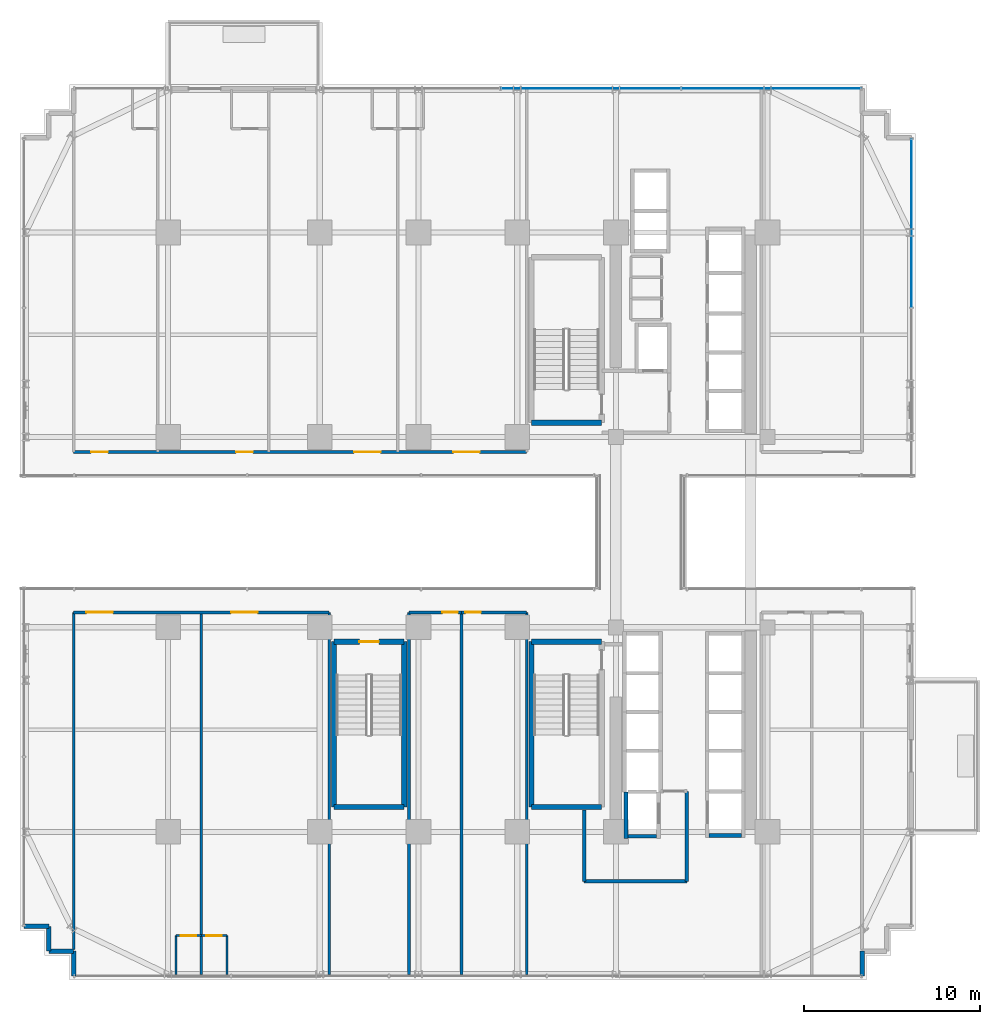
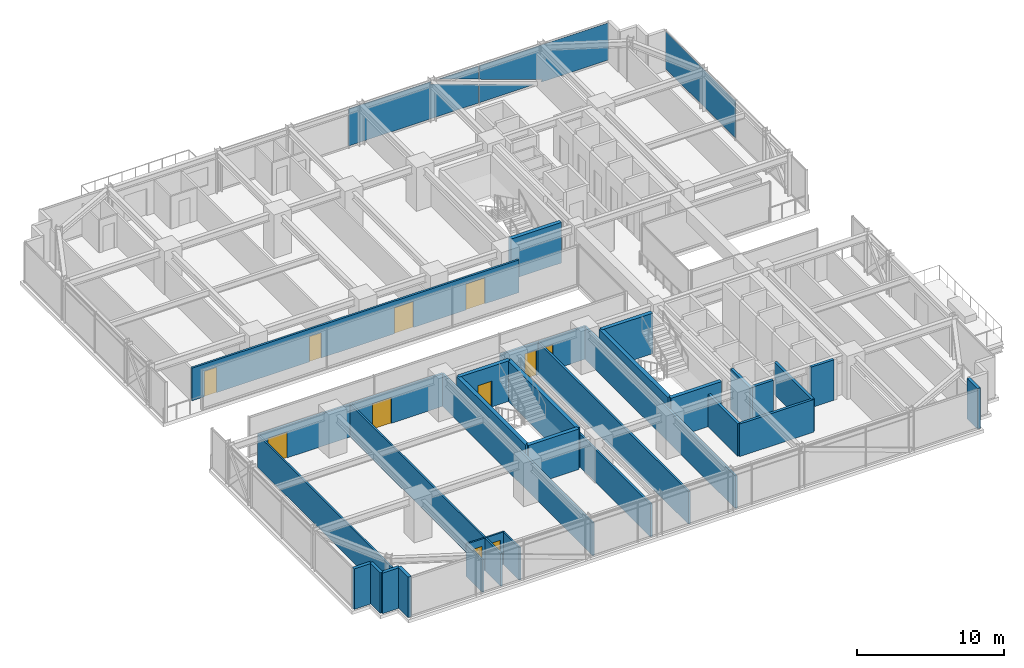
# One storey, part 34 of 41: 33 walls, 11 doors, 3 plates, 11 openings, 2 elements without a shape of their own.
"""IFC4 building model written with IfcOpenShell, lengths in metres."""

from ifc_helpers import new_model, si_unit, direction, frame, frame_2d, origin, origin_2d, place, context, subcontext, project, spatial, polyline, rectangle, outline, extrude, source, transform, mapped, material, layer, layer_set, type_object, element, fill, aggregate, save


model = new_model("IFC4")

# Units and contexts
model_context = context("Model", 3, precision=1e-05, world=origin(), true_north=direction((0.0, 1.0)))
body_context = subcontext(model_context, "Body", "Model", "MODEL_VIEW")
ifc_project = project(units=[si_unit("LENGTHUNIT", "METRE"), si_unit("AREAUNIT", "SQUARE_METRE"), si_unit("VOLUMEUNIT", "CUBIC_METRE"), si_unit("PLANEANGLEUNIT", "RADIAN"), si_unit("MASSUNIT", "GRAM", prefix="KILO")], contexts=[model_context])

# Site, building, storey
site_placement = place(None, origin())
site = spatial("IfcSite", under=ifc_project, at=site_placement, CompositionType="ELEMENT")
building_placement = place(site_placement, origin())
building = spatial("IfcBuilding", under=site, at=building_placement, Name="Nahalor Promenade Grand Hotel", CompositionType="ELEMENT")
storey_placement = place(building_placement, frame((0.0, 0.0, 54.300048828125)))
storey = spatial("IfcBuildingStorey", under=building, at=storey_placement, Name="L12", CompositionType="ELEMENT", Elevation=54.300048828125)

# Curtain wall, plates
ifc_material_1 = material(Name="Anodised Bronze Aluminium EN AW-6063 T6", Category="aluminium")
curtain_wall_type = type_object("IfcCurtainWallType", Name="CW3 Elliptical-Void Collar Unitised Curtain Wall", PredefinedType="USERDEFINED", material=ifc_material_1)
curtain_wall_1_placement = place(storey_placement, origin())
curtain_wall_1 = element("IfcCurtainWall", 1, at=curtain_wall_1_placement, inside=storey, type_object=curtain_wall_type, Name="L12 Curtain Wall CW-L12-N-3", ObjectType="UNITISED_CURTAIN_WALL", PredefinedType="USERDEFINED")
ifc_material_2 = material(Name="Low-E Laminated Solar Glass", Category="glass")
ifc_layer_1 = layer(ifc_material_2, 0.030029296875)
ifc_layer_set_1 = layer_set([ifc_layer_1], Name="Low-E Laminated Solar Glass")
plate_type = type_object("IfcPlateType", Name="CWP3 High-Wind Laminated Bronze IGU 30mm", PredefinedType="CURTAIN_PANEL", material=ifc_layer_set_1)
plate_1_placement = place(storey_placement, frame((6.97998046875, 25.159912109375, 0.14013671875), z_axis=(0.0, 0.0, 1.0), x_axis=(1.0, 0.0, 0.0)))
plate_1 = element("IfcPlate", 2, at=plate_1_placement, type_object=plate_type, Name="CW-L12-N-3 Glazing Panel 1-0", PredefinedType="CURTAIN_PANEL", context=body_context, shape_type="SweptSolid", body=[
    extrude(outline(polyline([(-5.091552734375, 0.0), (5.091552734375, 0.0), (5.091552734375, 1.556884765625), (1.3291015625, 2.900146484375), (1.39697265625, 3.090087890625), (-5.091552734375, 3.090087890625), (-5.091552734375, 0.0)])), frame((0.0, 0.01513671875, 0.0), z_axis=(0.0, -1.0, 0.0), x_axis=(1.0, 0.0, 0.0)), (0.0, 0.0, 1.0), 0.030029296875),
    extrude(outline(polyline([(5.091552734375, 1.981689453125), (5.091552734375, 3.090087890625), (1.98681640625, 3.090087890625), (5.091552734375, 1.981689453125)])), frame((0.0, 0.01513671875, 0.0), z_axis=(0.0, -1.0, 0.0), x_axis=(1.0, 0.0, 0.0)), (0.0, 0.0, 1.0), 0.030029296875),
])
plate_2_placement = place(storey_placement, frame((17.2158203125, 25.159912109375, 0.14013671875), z_axis=(0.0, 0.0, 1.0), x_axis=(1.0, 0.0, 0.0)))
plate_2 = element("IfcPlate", 3, at=plate_2_placement, type_object=plate_type, Name="CW-L12-N-3 Glazing Panel 2-0", PredefinedType="CURTAIN_PANEL", context=body_context, shape_type="SweptSolid", body=[
    extrude(outline(polyline([(5.07421875, 3.090087890625), (-5.07421875, 3.090087890625), (-5.07421875, 1.956787109375), (-0.125, 0.18994140625), (-0.19287109375, 0.0), (5.07421875, 0.0), (5.07421875, 3.090087890625)])), frame((0.0, 0.01513671875, 0.0), z_axis=(0.0, -1.0, 0.0), x_axis=(1.0, 0.0, 0.0)), (0.0, 0.0, 1.0), 0.030029296875),
    extrude(outline(polyline([(-5.07421875, 1.531982421875), (-5.07421875, 0.0), (-0.78271484375, 0.0), (-5.07421875, 1.531982421875)])), frame((0.0, 0.01513671875, 0.0), z_axis=(0.0, -1.0, 0.0), x_axis=(1.0, 0.0, 0.0)), (0.0, 0.0, 1.0), 0.030029296875),
])
aggregate(curtain_wall_1, [plate_1, plate_2])

# Curtain wall, plate
curtain_wall_2_placement = place(storey_placement, origin())
curtain_wall_2 = element("IfcCurtainWall", 4, at=curtain_wall_2_placement, inside=storey, type_object=curtain_wall_type, Name="L12 Curtain Wall CW-L12-E-4", ObjectType="UNITISED_CURTAIN_WALL", PredefinedType="USERDEFINED")
shared_shape_1 = source(origin(), body_context, "Body", "SweptSolid", [
    extrude(rectangle(XDim=9.52490234375, YDim=0.030029296875, at=origin_2d()), origin(), (0.0, 0.0, 1.0), 3.090087890625),
])
plate_3_placement = place(storey_placement, frame((25.159912109375, 17.527587890625, 0.14013671875), z_axis=(0.0, 0.0, 1.0), x_axis=(0.0, 1.0, 0.0)))
plate_3 = element("IfcPlate", 5, at=plate_3_placement, type_object=plate_type, Name="CW-L12-E-4 Glazing Panel 1-0", PredefinedType="CURTAIN_PANEL", context=body_context, shape_type="MappedRepresentation", body=[
    mapped(shared_shape_1, transform((0.0, 0.0, 0.0), scale=1.0)),
])
aggregate(curtain_wall_2, [plate_3])

# Walls
ifc_material_3 = material(Name="Concrete B-50 (C40/50)", Category="concrete")
ifc_layer_2 = layer(ifc_material_3, 0.300048828125)
ifc_layer_set_2 = layer_set([ifc_layer_2], Name="Concrete B-50 (C40/50)")
wall_type_1 = type_object("IfcWallType", Name="Wall-ShaftShear-300", PredefinedType="SHEAR", material=ifc_layer_set_2)
shared_shape_2 = source(origin(), body_context, "Body", "SweptSolid", [
    extrude(rectangle(XDim=3.97998046875, YDim=0.300048828125, at=frame_2d((1.989990234375, 0.0))), origin(), (0.0, 0.0, 1.0), 3.369873046875),
])
for number, where, z_axis, x_axis, name in (
    (6, (3.610107421875, 6.2099609375, 0.0), (0.0, 0.0, 1.0), (1.0, 0.0, 0.0), "L12 Exit Stair ST1 Shaft Wall S"),
    (7, (3.610107421875, -15.590087890625, 0.0), (0.0, 0.0, 1.0), (1.0, 0.0, 0.0), "L12 Exit Stair ST2 Shaft Wall S"),
    (8, (3.610107421875, -6.2099609375, 0.0), (0.0, 0.0, 1.0), (1.0, 0.0, 0.0), "L12 Exit Stair ST2 Shaft Wall N"),
    (9, (-7.590087890625, -15.590087890625, 0.0), (0.0, 0.0, 1.0), (1.0, 0.0, 0.0), "L12 Exit Stair ST3 Shaft Wall S"),
):
    element("IfcWall", number, at=place(storey_placement, frame(where, z_axis=z_axis, x_axis=x_axis)), inside=storey, type_object=wall_type_1, Name=name, PredefinedType="SHEAR", context=body_context, shape_type="MappedRepresentation", body=[
        mapped(shared_shape_2, transform((0.0, 0.0, 0.0), scale=1.0)),
    ])

# Wall, opening, door
wall_1_placement = place(storey_placement, frame((-7.590087890625, -6.2099609375, 0.0), z_axis=(0.0, 0.0, 1.0), x_axis=(1.0, 0.0, 0.0)))
wall_1 = element("IfcWall", 10, at=wall_1_placement, inside=storey, type_object=wall_type_1, Name="L12 Exit Stair ST3 Shaft Wall N", PredefinedType="SHEAR", context=body_context, shape_type="MappedRepresentation", body=[
    mapped(shared_shape_2, transform((0.0, 0.0, 0.0), scale=1.0)),
])
opening_1_placement = place(wall_1_placement, frame((1.43994140625, 0.0, 0.0)))
opening_1 = element("IfcOpeningElement", 11, at=opening_1_placement, cuts=wall_1, Name="Opening D-ST1", PredefinedType="OPENING", context=body_context, shape_type="SweptSolid", body=[
    extrude(rectangle(XDim=1.10009765625, YDim=2.14990234375, at=frame_2d((0.550048828125, 1.074951171875))), frame((0.0, 0.159912109375, 0.0), z_axis=(0.0, -1.0, 0.0), x_axis=(1.0, 0.0, 0.0)), (0.0, 0.0, 1.0), 0.320068359375),
])
ifc_material_4 = material(Name="Steel S355JR", Category="steel")
door_type_1 = type_object("IfcDoorType", Name="Door-StairFire-1100", OperationType="NOTDEFINED", PredefinedType="DOOR", material=ifc_material_4)
shared_shape_3 = source(origin(), body_context, "Body", "SweptSolid", [
    extrude(rectangle(XDim=1.10009765625, YDim=2.14990234375, at=frame_2d((0.550048828125, 1.074951171875))), frame((0.0, 0.02490234375, 0.0), z_axis=(0.0, -1.0, 0.0), x_axis=(1.0, 0.0, 0.0)), (0.0, 0.0, 1.0), 0.050048828125),
])
door_1_placement = place(opening_1_placement, frame((1.10009765625, 0.0, 0.0), z_axis=(0.0, 0.0, 1.0), x_axis=(-1.0, 0.0, 0.0)))
door_1 = element("IfcDoor", 12, at=door_1_placement, inside=storey, type_object=door_type_1, Name="DR-STAIR-ST3-L12", OperationType="SINGLE_SWING_LEFT", OverallHeight=2.14990234375, OverallWidth=1.10009765625, PredefinedType="DOOR", context=body_context, shape_type="MappedRepresentation", body=[
    mapped(shared_shape_3, transform((0.0, 0.0, 0.0), scale=1.0)),
])
fill(opening_1, door_1)

# Walls
shared_shape_4 = source(origin(), body_context, "Body", "SweptSolid", [
    extrude(rectangle(XDim=9.380126953125, YDim=0.300048828125, at=frame_2d((4.68994140625, 0.0))), origin(), (0.0, 0.0, 1.0), 3.369873046875),
])
for number, where, z_axis, x_axis, name in (
    (13, (3.610107421875, -15.590087890625, 0.0), (0.0, 0.0, 1.0), (0.0, 1.0, 0.0), "L12 Exit Stair ST2 Shaft Wall W"),
    (14, (-7.590087890625, -15.590087890625, 0.0), (0.0, 0.0, 1.0), (0.0, 1.0, 0.0), "L12 Exit Stair ST3 Shaft Wall W"),
    (15, (-3.610107421875, -15.590087890625, 0.0), (0.0, 0.0, 1.0), (0.0, 1.0, 0.0), "L12 Exit Stair ST3 Shaft Wall E"),
):
    element("IfcWall", number, at=place(storey_placement, frame(where, z_axis=z_axis, x_axis=x_axis)), inside=storey, type_object=wall_type_1, Name=name, PredefinedType="SHEAR", context=body_context, shape_type="MappedRepresentation", body=[
        mapped(shared_shape_4, transform((0.0, 0.0, 0.0), scale=1.0)),
    ])
ifc_layer_3 = layer(ifc_material_3, 0.219970703125)
ifc_layer_set_3 = layer_set([ifc_layer_3], Name="Concrete B-50 (C40/50)")
wall_type_2 = type_object("IfcWallType", Name="Wall-LiftShaft-220", PredefinedType="SHEAR", material=ifc_layer_set_3)
shared_shape_5 = source(origin(), body_context, "Body", "SweptSolid", [
    extrude(rectangle(XDim=1.820068359375, YDim=0.219970703125, at=frame_2d((0.91015625, 0.0))), origin(), (0.0, 0.0, 1.0), 3.369873046875),
])
wall_2_placement = place(storey_placement, frame((13.68994140625, -17.199951171875, 0.0), z_axis=(0.0, 0.0, 1.0), x_axis=(1.0, 0.0, 0.0)))
element("IfcWall", 16, at=wall_2_placement, inside=storey, type_object=wall_type_2, Name="L12 Lift SV2 Hoistway Wall S", PredefinedType="SHEAR", context=body_context, shape_type="MappedRepresentation", body=[
    mapped(shared_shape_5, transform((0.0, 0.0, 0.0), scale=1.0)),
])
shared_shape_6 = source(origin(), body_context, "Body", "SweptSolid", [
    extrude(rectangle(XDim=2.635009765625, YDim=0.219970703125, at=frame_2d((1.3173828125, 0.0))), origin(), (0.0, 0.0, 1.0), 3.369873046875),
])
wall_3_placement = place(storey_placement, frame((8.97998046875, -17.360107421875, 0.0), z_axis=(0.0, 0.0, 1.0), x_axis=(0.0, 1.0, 0.0)))
element("IfcWall", 17, at=wall_3_placement, inside=storey, type_object=wall_type_2, Name="L12 Lift FL2 Hoistway Wall W", PredefinedType="SHEAR", context=body_context, shape_type="MappedRepresentation", body=[
    mapped(shared_shape_6, transform((0.0, 0.0, 0.0), scale=1.0)),
])
shared_shape_7 = source(origin(), body_context, "Body", "SweptSolid", [
    extrude(rectangle(XDim=1.619873046875, YDim=0.219970703125, at=frame_2d((0.81005859375, 0.0))), origin(), (0.0, 0.0, 1.0), 3.369873046875),
])
wall_4_placement = place(storey_placement, frame((9.090087890625, -17.25, 0.0), z_axis=(0.0, 0.0, 1.0), x_axis=(1.0, 0.0, 0.0)))
element("IfcWall", 18, at=wall_4_placement, inside=storey, type_object=wall_type_2, Name="L12 Lift FL2 Hoistway Wall S", PredefinedType="SHEAR", context=body_context, shape_type="MappedRepresentation", body=[
    mapped(shared_shape_7, transform((0.0, 0.0, 0.0), scale=1.0)),
])
ifc_material_5 = material(Name="Concrete B-40 (C32/40)", Category="concrete")
ifc_layer_4 = layer(ifc_material_5, 0.25)
ifc_layer_set_4 = layer_set([ifc_layer_4], Name="Concrete B-40 (C32/40)")
wall_type_3 = type_object("IfcWallType", Name="Wall-BronzePier-250", PredefinedType="STANDARD", material=ifc_layer_set_4)
shared_shape_8 = source(origin(), body_context, "Body", "SweptSolid", [
    extrude(rectangle(XDim=1.39990234375, YDim=0.25, at=frame_2d((0.699951171875, 0.0))), origin(), (0.0, 0.0, 1.0), 3.369873046875),
])
for number, where, z_axis, x_axis, name in (
    (19, (22.360107421875, -25.159912109375, 0.0), (0.0, 0.0, 1.0), (0.0, 1.0, 0.0), "W-L12-SR-01"),
    (20, (-25.159912109375, -22.360107421875, 0.0), (0.0, 0.0, 1.0), (1.0, 0.0, 0.0), "W-L12-SR-13"),
    (21, (-23.760009765625, -23.760009765625, 0.0), (0.0, 0.0, 1.0), (0.0, 1.0, 0.0), "W-L12-SR-14"),
    (22, (-23.760009765625, -23.760009765625, 0.0), (0.0, 0.0, 1.0), (1.0, 0.0, 0.0), "W-L12-SR-15"),
    (23, (-22.360107421875, -25.159912109375, 0.0), (0.0, 0.0, 1.0), (0.0, 1.0, 0.0), "W-L12-SR-16"),
):
    element("IfcWall", number, at=place(storey_placement, frame(where, z_axis=z_axis, x_axis=x_axis)), inside=storey, type_object=wall_type_3, Name=name, PredefinedType="STANDARD", context=body_context, shape_type="MappedRepresentation", body=[
        mapped(shared_shape_8, transform((0.0, 0.0, 0.0), scale=1.0)),
    ])
ifc_layer_5 = layer(ifc_material_5, 0.199951171875)
ifc_layer_set_5 = layer_set([ifc_layer_5], Name="Concrete B-40 (C32/40)")
wall_type_4 = type_object("IfcWallType", Name="Wall-PartFire-200", PredefinedType="PARTITIONING", material=ifc_layer_set_5)
shared_shape_9 = source(origin(), body_context, "Body", "SweptSolid", [
    extrude(rectangle(XDim=5.81982421875, YDim=0.199951171875, at=frame_2d((2.909912109375, 0.0))), origin(), (0.0, 0.0, 1.0), 2.7099609375),
])
wall_5_placement = place(storey_placement, frame((6.60009765625, -19.800048828125, 0.0), z_axis=(0.0, 0.0, 1.0), x_axis=(1.0, 0.0, 0.0)))
element("IfcWall", 24, at=wall_5_placement, inside=storey, type_object=wall_type_4, Name="W-L12-FF2-S1", PredefinedType="PARTITIONING", context=body_context, shape_type="MappedRepresentation", body=[
    mapped(shared_shape_9, transform((0.0, 0.0, 0.0), scale=1.0)),
])
shared_shape_10 = source(origin(), body_context, "Body", "SweptSolid", [
    extrude(rectangle(XDim=4.030029296875, YDim=0.199951171875, at=frame_2d((2.01513671875, 0.0))), origin(), (0.0, 0.0, 1.0), 2.7099609375),
])
wall_6_placement = place(storey_placement, frame((6.60009765625, -19.800048828125, 0.0), z_axis=(0.0, 0.0, 1.0), x_axis=(0.0, 1.0, 0.0)))
element("IfcWall", 25, at=wall_6_placement, inside=storey, type_object=wall_type_4, Name="W-L12-FF2-W1", PredefinedType="PARTITIONING", context=body_context, shape_type="MappedRepresentation", body=[
    mapped(shared_shape_10, transform((0.0, 0.0, 0.0), scale=1.0)),
])
shared_shape_11 = source(origin(), body_context, "Body", "SweptSolid", [
    extrude(rectangle(XDim=5.10009765625, YDim=0.199951171875, at=frame_2d((2.550048828125, 0.0))), origin(), (0.0, 0.0, 1.0), 2.7099609375),
])
wall_7_placement = place(storey_placement, frame((12.419921875, -19.800048828125, 0.0), z_axis=(0.0, 0.0, 1.0), x_axis=(0.0, 1.0, 0.0)))
element("IfcWall", 26, at=wall_7_placement, inside=storey, type_object=wall_type_4, Name="W-L12-FF2-E", PredefinedType="PARTITIONING", context=body_context, shape_type="MappedRepresentation", body=[
    mapped(shared_shape_11, transform((0.0, 0.0, 0.0), scale=1.0)),
])
ifc_material_6 = material(Name="Acoustic Mineral Gypsum", Category="gypsum")
ifc_layer_6 = layer(ifc_material_6, 0.159912109375)
ifc_layer_set_6 = layer_set([ifc_layer_6], Name="Acoustic Mineral Gypsum")
wall_type_5 = type_object("IfcWallType", Name="Wall-PartCorridor-160", PredefinedType="PARTITIONING", material=ifc_layer_set_6)
shared_shape_12 = source(origin(), body_context, "Body", "SweptSolid", [
    extrude(rectangle(XDim=20.550048828125, YDim=0.159912109375, at=frame_2d((10.27490234375, 0.0))), origin(), (0.0, 0.0, 1.0), 2.7099609375),
])
for number, where, z_axis, x_axis, name in (
    (27, (-3.340087890625, -25.10009765625, 0.0), (0.0, 0.0, 1.0), (0.0, 1.0, 0.0), "W-L12-SCB1-W"),
    (28, (-0.35009765625, -25.10009765625, 0.0), (0.0, 0.0, 1.0), (0.0, 1.0, 0.0), "W-L12-SCB1-E"),
    (29, (3.340087890625, -25.10009765625, 0.0), (0.0, 0.0, 1.0), (0.0, 1.0, 0.0), "W-L12-SCB2-E"),
):
    element("IfcWall", number, at=place(storey_placement, frame(where, z_axis=z_axis, x_axis=x_axis)), inside=storey, type_object=wall_type_5, Name=name, PredefinedType="PARTITIONING", context=body_context, shape_type="MappedRepresentation", body=[
        mapped(shared_shape_12, transform((0.0, 0.0, 0.0), scale=1.0)),
    ])

# Wall, openings, doors
shared_shape_13 = source(origin(), body_context, "Body", "SweptSolid", [
    extrude(rectangle(XDim=25.7001953125, YDim=0.159912109375, at=frame_2d((12.85009765625, 0.0))), origin(), (0.0, 0.0, 1.0), 2.7099609375),
])
wall_8_placement = place(storey_placement, frame((-22.360107421875, 4.550048828125, 0.0), z_axis=(0.0, 0.0, 1.0), x_axis=(1.0, 0.0, 0.0)))
wall_8 = element("IfcWall", 30, at=wall_8_placement, inside=storey, type_object=wall_type_5, Name="W-L12-CORR-N", PredefinedType="PARTITIONING", context=body_context, shape_type="MappedRepresentation", body=[
    mapped(shared_shape_13, transform((0.0, 0.0, 0.0), scale=1.0)),
])
opening_2_placement = place(wall_8_placement, frame((0.9970703125, 0.0, 0.0)))
opening_2 = element("IfcOpeningElement", 31, at=opening_2_placement, cuts=wall_8, Name="Opening D-01", PredefinedType="OPENING", context=body_context, shape_type="SweptSolid", body=[
    extrude(rectangle(XDim=0.949951171875, YDim=2.10009765625, at=frame_2d((0.47509765625, 1.050048828125))), frame((0.0, 0.08984375, 0.0), z_axis=(0.0, -1.0, 0.0), x_axis=(1.0, 0.0, 0.0)), (0.0, 0.0, 1.0), 0.179931640625),
])
opening_3_placement = place(wall_8_placement, frame((9.22509765625, 0.0, 0.0)))
opening_3 = element("IfcOpeningElement", 32, at=opening_3_placement, cuts=wall_8, Name="Opening D-01", PredefinedType="OPENING", context=body_context, shape_type="SweptSolid", body=[
    extrude(rectangle(XDim=0.949951171875, YDim=2.10009765625, at=frame_2d((0.47509765625, 1.050048828125))), frame((0.0, 0.08984375, 0.0), z_axis=(0.0, -1.0, 0.0), x_axis=(1.0, 0.0, 0.0)), (0.0, 0.0, 1.0), 0.179931640625),
])
opening_4_placement = place(wall_8_placement, frame((15.910888671875, 0.0, 0.0)))
opening_4 = element("IfcOpeningElement", 33, at=opening_4_placement, cuts=wall_8, Name="Opening D-02", PredefinedType="OPENING", context=body_context, shape_type="SweptSolid", body=[
    extrude(rectangle(XDim=1.5, YDim=2.14990234375, at=frame_2d((0.75, 1.074951171875))), frame((0.0, 0.08984375, 0.0), z_axis=(0.0, -1.0, 0.0), x_axis=(1.0, 0.0, 0.0)), (0.0, 0.0, 1.0), 0.179931640625),
])
opening_5_placement = place(wall_8_placement, frame((21.533935546875, 0.0, 0.0)))
opening_5 = element("IfcOpeningElement", 34, at=opening_5_placement, cuts=wall_8, Name="Opening D-02", PredefinedType="OPENING", context=body_context, shape_type="SweptSolid", body=[
    extrude(rectangle(XDim=1.5, YDim=2.14990234375, at=frame_2d((0.75, 1.074951171875))), frame((0.0, 0.08984375, 0.0), z_axis=(0.0, -1.0, 0.0), x_axis=(1.0, 0.0, 0.0)), (0.0, 0.0, 1.0), 0.179931640625),
])
ifc_material_7 = material(Name="Fire-Rated Timber Composite", Category="wood")
door_type_2 = type_object("IfcDoorType", Name="Door-SuiteDouble-1500", OperationType="DOUBLE_DOOR_SINGLE_SWING", PredefinedType="DOOR", material=ifc_material_7)
shared_shape_14 = source(origin(), body_context, "Body", "SweptSolid", [
    extrude(rectangle(XDim=1.5, YDim=2.14990234375, at=frame_2d((0.75, 1.074951171875))), frame((0.0, 0.02490234375, 0.0), z_axis=(0.0, -1.0, 0.0), x_axis=(1.0, 0.0, 0.0)), (0.0, 0.0, 1.0), 0.050048828125),
])
door_2_placement = place(opening_4_placement, origin())
door_2 = element("IfcDoor", 35, at=door_2_placement, inside=storey, type_object=door_type_2, Name="DR-L12-N3-ENT", OperationType="DOUBLE_DOOR_SINGLE_SWING", OverallHeight=2.14990234375, OverallWidth=1.5, PredefinedType="DOOR", context=body_context, shape_type="MappedRepresentation", body=[
    mapped(shared_shape_14, transform((0.0, 0.0, 0.0), scale=1.0)),
])
fill(opening_4, door_2)
door_3_placement = place(opening_5_placement, origin())
door_3 = element("IfcDoor", 36, at=door_3_placement, inside=storey, type_object=door_type_2, Name="DR-L12-N4-ENT", OperationType="DOUBLE_DOOR_SINGLE_SWING", OverallHeight=2.14990234375, OverallWidth=1.5, PredefinedType="DOOR", context=body_context, shape_type="MappedRepresentation", body=[
    mapped(shared_shape_14, transform((0.0, 0.0, 0.0), scale=1.0)),
])
fill(opening_5, door_3)
door_type_3 = type_object("IfcDoorType", Name="Door-GuestEntry-950", OperationType="NOTDEFINED", PredefinedType="DOOR", material=ifc_material_7)
shared_shape_15 = source(origin(), body_context, "Body", "SweptSolid", [
    extrude(rectangle(XDim=0.949951171875, YDim=2.10009765625, at=frame_2d((0.47509765625, 1.050048828125))), frame((0.0, 0.02490234375, 0.0), z_axis=(0.0, -1.0, 0.0), x_axis=(1.0, 0.0, 0.0)), (0.0, 0.0, 1.0), 0.050048828125),
])
door_4_placement = place(opening_2_placement, origin())
door_4 = element("IfcDoor", 37, at=door_4_placement, inside=storey, type_object=door_type_3, Name="DR-L12-N1-ENT", OperationType="SINGLE_SWING_LEFT", OverallHeight=2.10009765625, OverallWidth=0.949951171875, PredefinedType="DOOR", context=body_context, shape_type="MappedRepresentation", body=[
    mapped(shared_shape_15, transform((0.0, 0.0, 0.0), scale=1.0)),
])
fill(opening_2, door_4)
door_5_placement = place(opening_3_placement, origin())
door_5 = element("IfcDoor", 38, at=door_5_placement, inside=storey, type_object=door_type_3, Name="DR-L12-N2-ENT", OperationType="SINGLE_SWING_LEFT", OverallHeight=2.10009765625, OverallWidth=0.949951171875, PredefinedType="DOOR", context=body_context, shape_type="MappedRepresentation", body=[
    mapped(shared_shape_15, transform((0.0, 0.0, 0.0), scale=1.0)),
])
fill(opening_3, door_5)

# Walls
ifc_layer_7 = layer(ifc_material_6, 0.139892578125)
ifc_layer_set_7 = layer_set([ifc_layer_7], Name="Acoustic Mineral Gypsum")
wall_type_6 = type_object("IfcWallType", Name="Wall-PartSuite-140", PredefinedType="PARTITIONING", material=ifc_layer_set_7)
shared_shape_16 = source(origin(), body_context, "Body", "SweptSolid", [
    extrude(rectangle(XDim=19.1298828125, YDim=0.139892578125, at=frame_2d((9.56494140625, 0.0))), origin(), (0.0, 0.0, 1.0), 2.7099609375),
])
wall_9_placement = place(storey_placement, frame((-22.360107421875, -23.679931640625, 0.0), z_axis=(0.0, 0.0, 1.0), x_axis=(0.0, 1.0, 0.0)))
element("IfcWall", 39, at=wall_9_placement, inside=storey, type_object=wall_type_6, Name="W-L12-SW-ENDW", PredefinedType="PARTITIONING", context=body_context, shape_type="MappedRepresentation", body=[
    mapped(shared_shape_16, transform((0.0, 0.0, 0.0), scale=1.0)),
])
shared_shape_17 = source(origin(), body_context, "Body", "SweptSolid", [
    extrude(rectangle(XDim=20.550048828125, YDim=0.139892578125, at=frame_2d((10.27490234375, 0.0))), origin(), (0.0, 0.0, 1.0), 2.7099609375),
])
for number, where, z_axis, x_axis, name in (
    (40, (-7.860107421875, -25.10009765625, 0.0), (0.0, 0.0, 1.0), (0.0, 1.0, 0.0), "W-L12-SW-ENDE"),
    (41, (-15.110107421875, -25.10009765625, 0.0), (0.0, 0.0, 1.0), (0.0, 1.0, 0.0), "W-L12-SP-1"),
):
    element("IfcWall", number, at=place(storey_placement, frame(where, z_axis=z_axis, x_axis=x_axis)), inside=storey, type_object=wall_type_6, Name=name, PredefinedType="PARTITIONING", context=body_context, shape_type="MappedRepresentation", body=[
        mapped(shared_shape_17, transform((0.0, 0.0, 0.0), scale=1.0)),
    ])

# Wall, opening, door
ifc_layer_8 = layer(ifc_material_6, 0.1201171875)
ifc_layer_set_8 = layer_set([ifc_layer_8], Name="Acoustic Mineral Gypsum")
wall_type_7 = type_object("IfcWallType", Name="Wall-PartBath-120", PredefinedType="PARTITIONING", material=ifc_layer_set_8)
shared_shape_18 = source(origin(), body_context, "Body", "SweptSolid", [
    extrude(rectangle(XDim=1.4501953125, YDim=0.1201171875, at=frame_2d((0.72509765625, 0.0))), origin(), (0.0, 0.0, 1.0), 2.7099609375),
])
wall_10_placement = place(storey_placement, frame((-15.110107421875, -22.8798828125, 0.0), z_axis=(0.0, 0.0, 1.0), x_axis=(1.0, 0.0, 0.0)))
wall_10 = element("IfcWall", 42, at=wall_10_placement, inside=storey, type_object=wall_type_7, Name="W-L12-S2-BH", PredefinedType="PARTITIONING", context=body_context, shape_type="MappedRepresentation", body=[
    mapped(shared_shape_18, transform((0.0, 0.0, 0.0), scale=1.0)),
])
opening_6_placement = place(wall_10_placement, frame((0.284912109375, 0.0, 0.0)))
opening_6 = element("IfcOpeningElement", 43, at=opening_6_placement, cuts=wall_10, Name="Opening D-03", PredefinedType="OPENING", context=body_context, shape_type="SweptSolid", body=[
    extrude(rectangle(XDim=0.8798828125, YDim=2.10009765625, at=frame_2d((0.43994140625, 1.050048828125))), frame((0.0, 0.070068359375, 0.0), z_axis=(0.0, -1.0, 0.0), x_axis=(1.0, 0.0, 0.0)), (0.0, 0.0, 1.0), 0.14013671875),
])
door_type_4 = type_object("IfcDoorType", Name="Door-BathSwing-880", OperationType="NOTDEFINED", PredefinedType="DOOR", material=ifc_material_7)
shared_shape_19 = source(origin(), body_context, "Body", "SweptSolid", [
    extrude(rectangle(XDim=0.8798828125, YDim=2.10009765625, at=frame_2d((0.43994140625, 1.050048828125))), frame((0.0, 0.02490234375, 0.0), z_axis=(0.0, -1.0, 0.0), x_axis=(1.0, 0.0, 0.0)), (0.0, 0.0, 1.0), 0.050048828125),
])
door_6_placement = place(opening_6_placement, frame((0.8798828125, 0.0, 0.0), z_axis=(0.0, 0.0, 1.0), x_axis=(-1.0, 0.0, 0.0)))
door_6 = element("IfcDoor", 44, at=door_6_placement, inside=storey, type_object=door_type_4, Name="DR-L12-S2-BATH", OperationType="SINGLE_SWING_LEFT", OverallHeight=2.10009765625, OverallWidth=0.8798828125, PredefinedType="DOOR", context=body_context, shape_type="MappedRepresentation", body=[
    mapped(shared_shape_19, transform((0.0, 0.0, 0.0), scale=1.0)),
])
fill(opening_6, door_6)

# Walls
shared_shape_20 = source(origin(), body_context, "Body", "SweptSolid", [
    extrude(rectangle(XDim=2.22021484375, YDim=0.1201171875, at=frame_2d((1.110107421875, 0.0))), origin(), (0.0, 0.0, 1.0), 2.7099609375),
])
for number, where, z_axis, x_axis, name in (
    (45, (-16.56005859375, -25.10009765625, 0.0), (0.0, 0.0, 1.0), (0.0, 1.0, 0.0), "W-L12-S1-BV"),
    (46, (-13.659912109375, -25.10009765625, 0.0), (0.0, 0.0, 1.0), (0.0, 1.0, 0.0), "W-L12-S2-BV"),
):
    element("IfcWall", number, at=place(storey_placement, frame(where, z_axis=z_axis, x_axis=x_axis)), inside=storey, type_object=wall_type_7, Name=name, PredefinedType="PARTITIONING", context=body_context, shape_type="MappedRepresentation", body=[
        mapped(shared_shape_20, transform((0.0, 0.0, 0.0), scale=1.0)),
    ])

# Wall, opening, door
shared_shape_21 = source(origin(), body_context, "Body", "SweptSolid", [
    extrude(rectangle(XDim=1.449951171875, YDim=0.1201171875, at=frame_2d((0.72509765625, 0.0))), origin(), (0.0, 0.0, 1.0), 2.7099609375),
])
wall_11_placement = place(storey_placement, frame((-16.56005859375, -22.8798828125, 0.0), z_axis=(0.0, 0.0, 1.0), x_axis=(1.0, 0.0, 0.0)))
wall_11 = element("IfcWall", 47, at=wall_11_placement, inside=storey, type_object=wall_type_7, Name="W-L12-S1-BH", PredefinedType="PARTITIONING", context=body_context, shape_type="MappedRepresentation", body=[
    mapped(shared_shape_21, transform((0.0, 0.0, 0.0), scale=1.0)),
])
opening_7_placement = place(wall_11_placement, frame((0.284912109375, 0.0, 0.0)))
opening_7 = element("IfcOpeningElement", 48, at=opening_7_placement, cuts=wall_11, Name="Opening D-03", PredefinedType="OPENING", context=body_context, shape_type="SweptSolid", body=[
    extrude(rectangle(XDim=0.8798828125, YDim=2.10009765625, at=frame_2d((0.43994140625, 1.050048828125))), frame((0.0, 0.070068359375, 0.0), z_axis=(0.0, -1.0, 0.0), x_axis=(1.0, 0.0, 0.0)), (0.0, 0.0, 1.0), 0.14013671875),
])
door_7_placement = place(opening_7_placement, frame((0.8798828125, 0.0, 0.0), z_axis=(0.0, 0.0, 1.0), x_axis=(-1.0, 0.0, 0.0)))
door_7 = element("IfcDoor", 49, at=door_7_placement, inside=storey, type_object=door_type_4, Name="DR-L12-S1-BATH", OperationType="SINGLE_SWING_RIGHT", OverallHeight=2.10009765625, OverallWidth=0.8798828125, PredefinedType="DOOR", context=body_context, shape_type="MappedRepresentation", body=[
    mapped(shared_shape_19, transform((0.0, 0.0, 0.0), scale=1.0)),
])
fill(opening_7, door_7)

# Wall, openings, doors
shared_shape_22 = source(origin(), body_context, "Body", "SweptSolid", [
    extrude(rectangle(XDim=14.5, YDim=0.159912109375, at=frame_2d((7.25, 0.0))), origin(), (0.0, 0.0, 1.0), 2.7099609375),
])
wall_12_placement = place(storey_placement, frame((-22.360107421875, -4.550048828125, 0.0), z_axis=(0.0, 0.0, 1.0), x_axis=(1.0, 0.0, 0.0)))
wall_12 = element("IfcWall", 50, at=wall_12_placement, inside=storey, type_object=wall_type_5, Name="W-L12-CORR-S", PredefinedType="PARTITIONING", context=body_context, shape_type="MappedRepresentation", body=[
    mapped(shared_shape_22, transform((0.0, 0.0, 0.0), scale=1.0)),
])
opening_8_placement = place(wall_12_placement, frame((0.72705078125, 0.0, 0.0)))
opening_8 = element("IfcOpeningElement", 51, at=opening_8_placement, cuts=wall_12, Name="Opening D-02", PredefinedType="OPENING", context=body_context, shape_type="SweptSolid", body=[
    extrude(rectangle(XDim=1.5, YDim=2.14990234375, at=frame_2d((0.75, 1.074951171875))), frame((0.0, 0.08984375, 0.0), z_axis=(0.0, -1.0, 0.0), x_axis=(1.0, 0.0, 0.0)), (0.0, 0.0, 1.0), 0.179931640625),
])
opening_9_placement = place(wall_12_placement, frame((8.931884765625, 0.0, 0.0)))
opening_9 = element("IfcOpeningElement", 52, at=opening_9_placement, cuts=wall_12, Name="Opening D-02", PredefinedType="OPENING", context=body_context, shape_type="SweptSolid", body=[
    extrude(rectangle(XDim=1.5, YDim=2.14990234375, at=frame_2d((0.75, 1.074951171875))), frame((0.0, 0.08984375, 0.0), z_axis=(0.0, -1.0, 0.0), x_axis=(1.0, 0.0, 0.0)), (0.0, 0.0, 1.0), 0.179931640625),
])
door_8_placement = place(opening_8_placement, frame((1.5, 0.0, 0.0), z_axis=(0.0, 0.0, 1.0), x_axis=(-1.0, 0.0, 0.0)))
door_8 = element("IfcDoor", 53, at=door_8_placement, inside=storey, type_object=door_type_2, Name="DR-L12-S1-ENT", OperationType="DOUBLE_DOOR_SINGLE_SWING", OverallHeight=2.14990234375, OverallWidth=1.5, PredefinedType="DOOR", context=body_context, shape_type="MappedRepresentation", body=[
    mapped(shared_shape_14, transform((0.0, 0.0, 0.0), scale=1.0)),
])
fill(opening_8, door_8)
door_9_placement = place(opening_9_placement, frame((1.5, 0.0, 0.0), z_axis=(0.0, 0.0, 1.0), x_axis=(-1.0, 0.0, 0.0)))
door_9 = element("IfcDoor", 54, at=door_9_placement, inside=storey, type_object=door_type_2, Name="DR-L12-S2-ENT", OperationType="DOUBLE_DOOR_SINGLE_SWING", OverallHeight=2.14990234375, OverallWidth=1.5, PredefinedType="DOOR", context=body_context, shape_type="MappedRepresentation", body=[
    mapped(shared_shape_14, transform((0.0, 0.0, 0.0), scale=1.0)),
])
fill(opening_9, door_9)

# Wall, opening, door
shared_shape_23 = source(origin(), body_context, "Body", "SweptSolid", [
    extrude(rectangle(XDim=2.989990234375, YDim=0.159912109375, at=frame_2d((1.4951171875, 0.0))), origin(), (0.0, 0.0, 1.0), 2.7099609375),
])
wall_13_placement = place(storey_placement, frame((-3.340087890625, -4.550048828125, 0.0), z_axis=(0.0, 0.0, 1.0), x_axis=(1.0, 0.0, 0.0)))
wall_13 = element("IfcWall", 55, at=wall_13_placement, inside=storey, type_object=wall_type_5, Name="W-L12-SCB1-N", PredefinedType="PARTITIONING", context=body_context, shape_type="MappedRepresentation", body=[
    mapped(shared_shape_23, transform((0.0, 0.0, 0.0), scale=1.0)),
])
opening_10_placement = place(wall_13_placement, frame((1.89990234375, 0.0, 0.0)))
opening_10 = element("IfcOpeningElement", 56, at=opening_10_placement, cuts=wall_13, Name="Opening D-03", PredefinedType="OPENING", context=body_context, shape_type="SweptSolid", body=[
    extrude(rectangle(XDim=0.8798828125, YDim=2.10009765625, at=frame_2d((0.43994140625, 1.050048828125))), frame((0.0, 0.08984375, 0.0), z_axis=(0.0, -1.0, 0.0), x_axis=(1.0, 0.0, 0.0)), (0.0, 0.0, 1.0), 0.179931640625),
])
door_10_placement = place(opening_10_placement, frame((0.8798828125, 0.0, 0.0), z_axis=(0.0, 0.0, 1.0), x_axis=(-1.0, 0.0, 0.0)))
door_10 = element("IfcDoor", 57, at=door_10_placement, inside=storey, type_object=door_type_4, Name="DR-L12-SCB1", OperationType="SINGLE_SWING_RIGHT", OverallHeight=2.10009765625, OverallWidth=0.8798828125, PredefinedType="DOOR", context=body_context, shape_type="MappedRepresentation", body=[
    mapped(shared_shape_19, transform((0.0, 0.0, 0.0), scale=1.0)),
])
fill(opening_10, door_10)

shared_shape_24 = source(origin(), body_context, "Body", "SweptSolid", [
    extrude(rectangle(XDim=3.690185546875, YDim=0.159912109375, at=frame_2d((1.84521484375, 0.0))), origin(), (0.0, 0.0, 1.0), 2.7099609375),
])
wall_14_placement = place(storey_placement, frame((-0.35009765625, -4.550048828125, 0.0), z_axis=(0.0, 0.0, 1.0), x_axis=(1.0, 0.0, 0.0)))
wall_14 = element("IfcWall", 58, at=wall_14_placement, inside=storey, type_object=wall_type_5, Name="W-L12-SCB2-N", PredefinedType="PARTITIONING", context=body_context, shape_type="MappedRepresentation", body=[
    mapped(shared_shape_24, transform((0.0, 0.0, 0.0), scale=1.0)),
])
opening_11_placement = place(wall_14_placement, frame((0.2099609375, 0.0, 0.0)))
opening_11 = element("IfcOpeningElement", 59, at=opening_11_placement, cuts=wall_14, Name="Opening D-03", PredefinedType="OPENING", context=body_context, shape_type="SweptSolid", body=[
    extrude(rectangle(XDim=0.8798828125, YDim=2.10009765625, at=frame_2d((0.43994140625, 1.050048828125))), frame((0.0, 0.08984375, 0.0), z_axis=(0.0, -1.0, 0.0), x_axis=(1.0, 0.0, 0.0)), (0.0, 0.0, 1.0), 0.179931640625),
])
door_11_placement = place(opening_11_placement, frame((0.8798828125, 0.0, 0.0), z_axis=(0.0, 0.0, 1.0), x_axis=(-1.0, 0.0, 0.0)))
door_11 = element("IfcDoor", 60, at=door_11_placement, inside=storey, type_object=door_type_4, Name="DR-L12-SCB2", OperationType="SINGLE_SWING_LEFT", OverallHeight=2.10009765625, OverallWidth=0.8798828125, PredefinedType="DOOR", context=body_context, shape_type="MappedRepresentation", body=[
    mapped(shared_shape_19, transform((0.0, 0.0, 0.0), scale=1.0)),
])
fill(opening_11, door_11)

save(model, "model.ifc")
